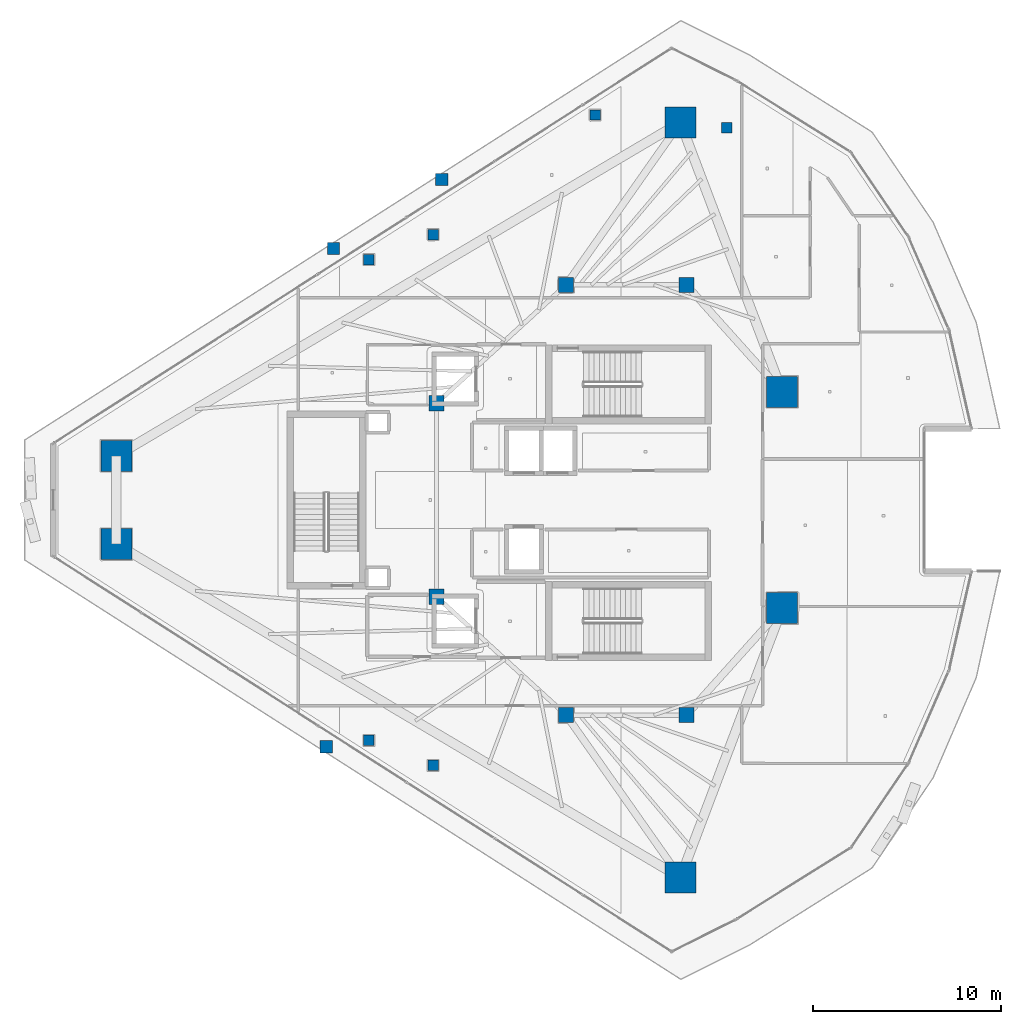
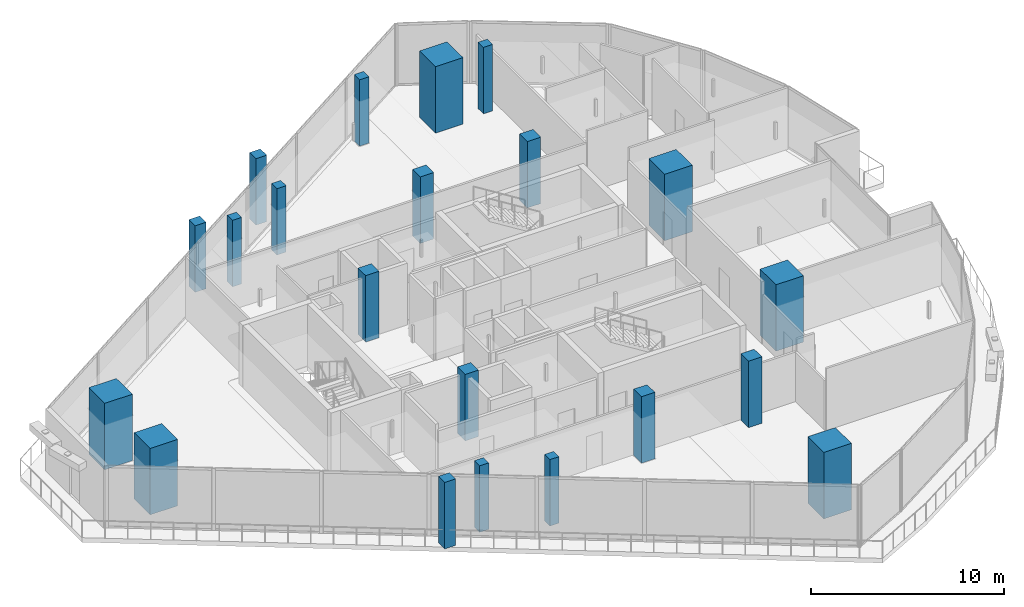
# One storey, part 1 of 34: 21 columns.
"""IFC4 building model written with IfcOpenShell, lengths in metres."""

from ifc_helpers import new_model, si_unit, direction, frame, origin, origin_2d, place, context, subcontext, project, spatial, rectangle, extrude, material, material_profile, profile_set, type_object, element, save


model = new_model("IFC4")

# Units and contexts
model_context = context("Model", 3, precision=1e-05, world=origin(), true_north=direction((0.0, 1.0)))
body_context = subcontext(model_context, "Body", "Model", "MODEL_VIEW")
ifc_project = project(units=[si_unit("LENGTHUNIT", "METRE"), si_unit("AREAUNIT", "SQUARE_METRE"), si_unit("VOLUMEUNIT", "CUBIC_METRE"), si_unit("PLANEANGLEUNIT", "RADIAN"), si_unit("MASSUNIT", "GRAM", prefix="KILO")], contexts=[model_context])

# Site, building, storey
site_placement = place(None, origin())
site = spatial("IfcSite", under=ifc_project, at=site_placement, CompositionType="ELEMENT")
building_placement = place(site_placement, origin())
building = spatial("IfcBuilding", under=site, at=building_placement, Name="Qorvath Tower", CompositionType="ELEMENT")
storey_placement = place(building_placement, frame((0.0, 0.0, 268.199951171875)))
storey = spatial("IfcBuildingStorey", under=building, at=storey_placement, Name="L62", CompositionType="ELEMENT", Elevation=268.199951171875)

# Columns
ifc_material_1 = material(Name="Concrete C60/75", Category="concrete")
ifc_material_profile_1 = material_profile(ifc_material_1, rectangle(XDim=1.64990234375, YDim=1.64990234375, at=origin_2d()), Name="MC 1650x1650")
ifc_profile_set_1 = profile_set([ifc_material_profile_1], Name="Concrete C60/75")
column_type_1 = type_object("IfcColumnType", Name="COL-MC5", PredefinedType="COLUMN", material=ifc_profile_set_1)
for number, where, z_axis, x_axis, name in (
    (1, (-47.53759765625, 2.349609375, 0.0), (0.0, 0.0, 1.0), (1.0, 0.0, 0.0), "Composite Mega-Column MC1 L62"),
    (2, (-47.53759765625, -2.349609375, 0.0), (0.0, 0.0, 1.0), (1.0, 0.0, 0.0), "Composite Mega-Column MC2 L62"),
    (3, (-17.515380859375, -20.1015625, 0.0), (0.0, 0.0, 1.0), (1.0, 0.0, 0.0), "Composite Mega-Column MC3 L62"),
    (4, (-12.0966796875, -5.7578125, 0.0), (0.0, 0.0, 1.0), (1.0, 0.0, 0.0), "Composite Mega-Column MC4 L62"),
    (5, (-12.0966796875, 5.7578125, 0.0), (0.0, 0.0, 1.0), (1.0, 0.0, 0.0), "Composite Mega-Column MC5 L62"),
    (6, (-17.515380859375, 20.1015625, 0.0), (0.0, 0.0, 1.0), (1.0, 0.0, 0.0), "Composite Mega-Column MC6 L62"),
):
    element("IfcColumn", number, at=place(storey_placement, frame(where, z_axis=z_axis, x_axis=x_axis)), inside=storey, type_object=column_type_1, Name=name, PredefinedType="COLUMN", context=body_context, shape_type="SweptSolid", body=[
        extrude(rectangle(XDim=1.64990234375, YDim=1.64990234375, at=origin_2d()), origin(), (0.0, 0.0, 1.0), 4.199951171875),
    ])
ifc_material_2 = material(Name="Concrete C50/60", Category="concrete")
ifc_material_profile_2 = material_profile(ifc_material_2, rectangle(XDim=0.800048828125, YDim=0.800048828125, at=origin_2d()), Name="RC 800x800")
ifc_profile_set_2 = profile_set([ifc_material_profile_2], Name="Concrete C50/60")
column_type_2 = type_object("IfcColumnType", Name="COL-RC4", PredefinedType="COLUMN", material=ifc_profile_set_2)
for number, where, z_axis, x_axis, name in (
    (7, (-23.60009765625, 11.449951171875, 0.0), (0.0, 0.0, 1.0), (1.0, 0.0, 0.0), "Core Spine Column CC1 L62"),
    (8, (-17.199951171875, 11.449951171875, 0.0), (0.0, 0.0, 1.0), (1.0, 0.0, 0.0), "Core Spine Column CC2 L62"),
    (9, (-17.199951171875, -11.449951171875, 0.0), (0.0, 0.0, 1.0), (1.0, 0.0, 0.0), "Core Spine Column CC3 L62"),
    (10, (-23.60009765625, -11.449951171875, 0.0), (0.0, 0.0, 1.0), (1.0, 0.0, 0.0), "Core Spine Column CC4 L62"),
    (11, (-30.5, 5.14990234375, 0.0), (0.0, 0.0, 1.0), (1.0, 0.0, 0.0), "Core Spine Column CC5 L62"),
    (12, (-30.5, -5.14990234375, 0.0), (0.0, 0.0, 1.0), (1.0, 0.0, 0.0), "Core Spine Column CC6 L62"),
):
    element("IfcColumn", number, at=place(storey_placement, frame(where, z_axis=z_axis, x_axis=x_axis)), inside=storey, type_object=column_type_2, Name=name, PredefinedType="COLUMN", context=body_context, shape_type="SweptSolid", body=[
        extrude(rectangle(XDim=0.800048828125, YDim=0.800048828125, at=origin_2d()), origin(), (0.0, 0.0, 1.0), 4.199951171875),
    ])
ifc_material_3 = material(Name="Concrete C45/55", Category="concrete")
ifc_material_profile_3 = material_profile(ifc_material_3, rectangle(XDim=0.64990234375, YDim=0.64990234375, at=origin_2d()), Name="RC 650x650")
ifc_profile_set_3 = profile_set([ifc_material_profile_3], Name="Concrete C45/55")
column_type_3 = type_object("IfcColumnType", Name="COL-RC6", PredefinedType="COLUMN", material=ifc_profile_set_3)
for number, where, z_axis, x_axis, name in (
    (13, (-35.980712890625, 13.380859375, 0.0), (0.0, 0.0, 1.0), (1.0, 0.0, 0.0), "Loggia Frame Pier Column LGF1 L62"),
    (14, (-36.36474609375, -13.135498046875, 0.0), (0.0, 0.0, 1.0), (1.0, 0.0, 0.0), "Loggia Frame Pier Column LGF2 L62"),
    (15, (-30.224853515625, 17.0595703125, 0.0), (0.0, 0.0, 1.0), (1.0, 0.0, 0.0), "Loggia Frame Pier Column LGF3 L62"),
):
    element("IfcColumn", number, at=place(storey_placement, frame(where, z_axis=z_axis, x_axis=x_axis)), inside=storey, type_object=column_type_3, Name=name, PredefinedType="COLUMN", context=body_context, shape_type="SweptSolid", body=[
        extrude(rectangle(XDim=0.64990234375, YDim=0.64990234375, at=origin_2d()), origin(), (0.0, 0.0, 1.0), 4.199951171875),
    ])
ifc_material_4 = material(Name="Concrete C45/55", Category="concrete")
ifc_material_profile_4 = material_profile(ifc_material_4, rectangle(XDim=0.550048828125, YDim=0.550048828125, at=origin_2d()), Name="RC 550x550")
ifc_profile_set_4 = profile_set([ifc_material_profile_4], Name="Concrete C45/55")
column_type_4 = type_object("IfcColumnType", Name="COL-RC7", PredefinedType="COLUMN", material=ifc_profile_set_4)
for number, where, z_axis, x_axis, name in (
    (16, (-34.104248046875, 12.79248046875, 0.0), (0.0, 0.0, 1.0), (1.0, 0.0, 0.0), "Loggia Frame Pier Column LGG1 L62"),
    (17, (-34.104248046875, -12.79248046875, 0.0), (0.0, 0.0, 1.0), (1.0, 0.0, 0.0), "Loggia Frame Pier Column LGG2 L62"),
    (18, (-22.05322265625, 20.494873046875, 0.0), (0.0, 0.0, 1.0), (1.0, 0.0, 0.0), "Loggia Frame Pier Column LGG3 L62"),
    (19, (-30.67724609375, 14.124267578125, 0.0), (0.0, 0.0, 1.0), (1.0, 0.0, 0.0), "Loggia Frame Pier Column LGH1 L62"),
    (20, (-30.67724609375, -14.124267578125, 0.0), (0.0, 0.0, 1.0), (1.0, 0.0, 0.0), "Loggia Frame Pier Column LGH2 L62"),
    (21, (-15.046142578125, 19.818115234375, 0.0), (0.0, 0.0, 1.0), (1.0, 0.0, 0.0), "Loggia Frame Pier Column LGH3 L62"),
):
    element("IfcColumn", number, at=place(storey_placement, frame(where, z_axis=z_axis, x_axis=x_axis)), inside=storey, type_object=column_type_4, Name=name, PredefinedType="COLUMN", context=body_context, shape_type="SweptSolid", body=[
        extrude(rectangle(XDim=0.550048828125, YDim=0.550048828125, at=origin_2d()), origin(), (0.0, 0.0, 1.0), 4.199951171875),
    ])

save(model, "model.ifc")
